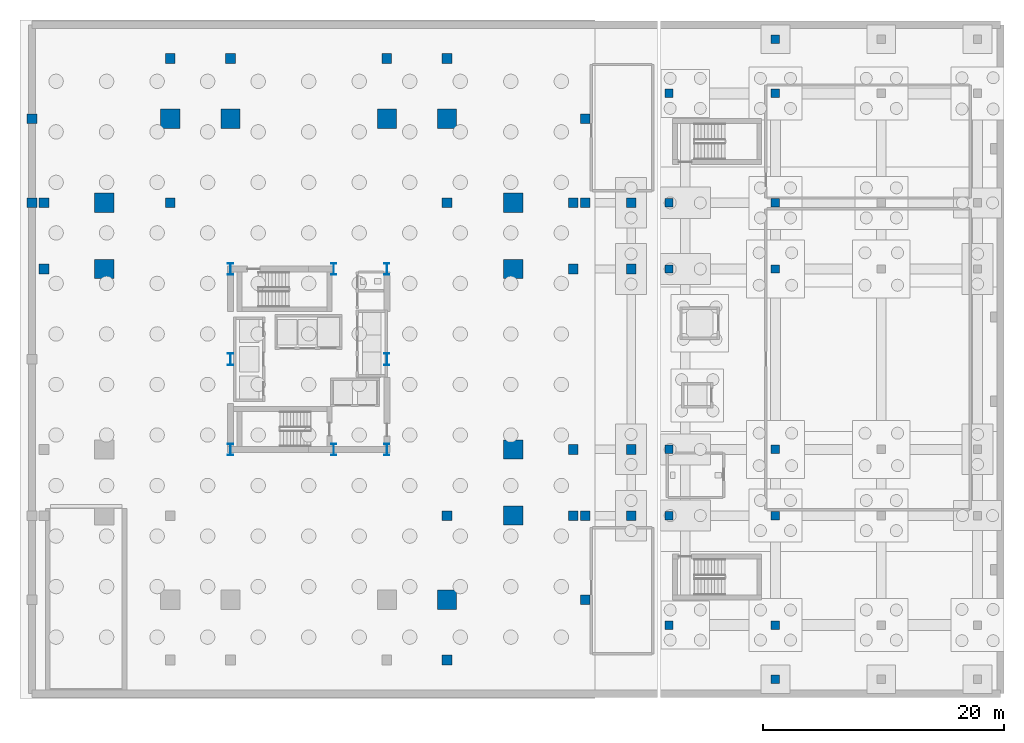
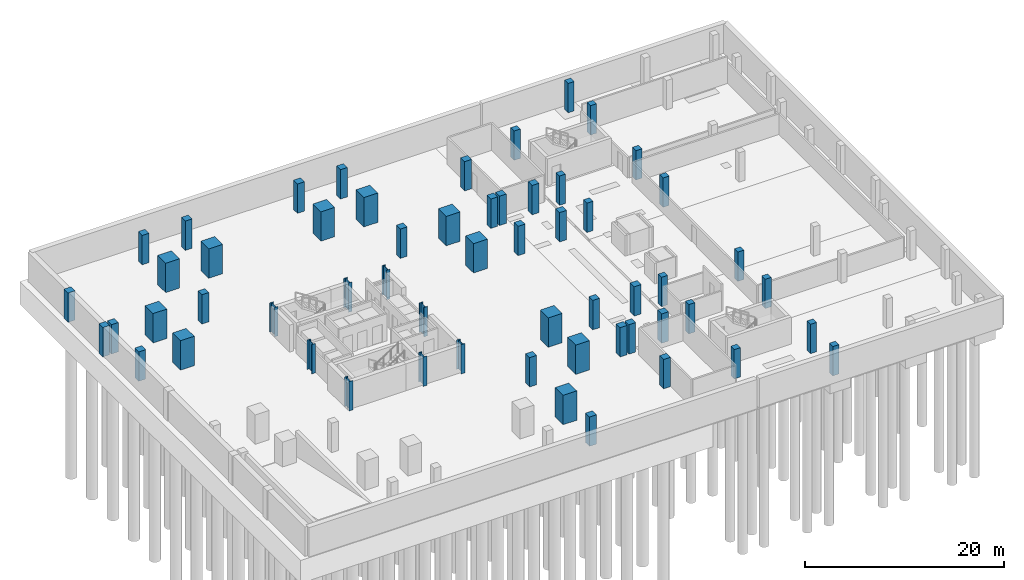
# One storey, part 3 of 13: 57 columns.
"""IFC4 building model written with IfcOpenShell, lengths in metres."""

from ifc_helpers import new_model, si_unit, direction, frame, origin, origin_2d, place, context, subcontext, project, spatial, rectangle, i_section, extrude, material, material_profile, profile_set, type_object, element, save


model = new_model("IFC4")

# Units and contexts
model_context = context("Model", 3, precision=1e-05, world=origin(), true_north=direction((0.0, 1.0)))
body_context = subcontext(model_context, "Body", "Model", "MODEL_VIEW")
ifc_project = project(units=[si_unit("LENGTHUNIT", "METRE"), si_unit("AREAUNIT", "SQUARE_METRE"), si_unit("VOLUMEUNIT", "CUBIC_METRE"), si_unit("PLANEANGLEUNIT", "RADIAN"), si_unit("MASSUNIT", "GRAM", prefix="KILO")], contexts=[model_context])

# Site, building, storey
site_placement = place(None, origin())
site = spatial("IfcSite", under=ifc_project, at=site_placement, CompositionType="ELEMENT")
building_placement = place(site_placement, origin())
building = spatial("IfcBuilding", under=site, at=building_placement, Name="Barlavira Tower and Art Museum", CompositionType="ELEMENT")
storey_placement = place(building_placement, frame((0.0, 0.0, -7.199951171875)))
storey = spatial("IfcBuildingStorey", under=building, at=storey_placement, Name="B02", CompositionType="ELEMENT", Elevation=-7.199951171875)

# Columns
ifc_material_1 = material(Name="Steel S355", Category="steel")
ifc_material_profile_1 = material_profile(ifc_material_1, i_section(OverallWidth=0.419921875, OverallDepth=0.9599609375, WebThickness=0.02197265625, FlangeThickness=0.033935546875, at=origin_2d()), Name="W920x387.0")
ifc_profile_set_1 = profile_set([ifc_material_profile_1], Name="Steel S355")
column_type_1 = type_object("IfcColumnType", Name="Core Composite Column W920x387 Steel S355", PredefinedType="COLUMN", material=ifc_profile_set_1)
for number, where, z_axis, x_axis, name in (
    (1, (-6.5, -7.5, 0.0), (0.0, 0.0, 1.0), (1.0, 0.0, 0.0), "B02 Column CC-B02-C1"),
    (2, (2.080078125, -7.5, 0.0), (0.0, 0.0, 1.0), (1.0, 0.0, 0.0), "B02 Column CC-B02-C2"),
    (3, (6.5, -7.5, 0.0), (0.0, 0.0, 1.0), (1.0, 0.0, 0.0), "B02 Column CC-B02-C3"),
    (4, (-6.5, 0.0, 0.0), (0.0, 0.0, 1.0), (1.0, 0.0, 0.0), "B02 Column CC-B02-C4"),
    (5, (6.5, 0.0, 0.0), (0.0, 0.0, 1.0), (1.0, 0.0, 0.0), "B02 Column CC-B02-C5"),
    (6, (-6.5, 7.5, 0.0), (0.0, 0.0, 1.0), (1.0, 0.0, 0.0), "B02 Column CC-B02-C6"),
    (7, (2.080078125, 7.5, 0.0), (0.0, 0.0, 1.0), (1.0, 0.0, 0.0), "B02 Column CC-B02-C7"),
    (8, (6.5, 7.5, 0.0), (0.0, 0.0, 1.0), (1.0, 0.0, 0.0), "B02 Column CC-B02-C8"),
):
    element("IfcColumn", number, at=place(storey_placement, frame(where, z_axis=z_axis, x_axis=x_axis)), inside=storey, type_object=column_type_1, Name=name, PredefinedType="COLUMN", context=body_context, shape_type="SweptSolid", body=[
        extrude(i_section(OverallWidth=0.419921875, OverallDepth=0.9599609375, WebThickness=0.02197265625, FlangeThickness=0.033935546875, at=origin_2d()), origin(), (0.0, 0.0, 1.0), 3.599853515625),
    ])
ifc_material_2 = material(Name="Concrete C50", Category="concrete")
ifc_material_profile_2 = material_profile(ifc_material_2, rectangle(XDim=0.699951171875, YDim=0.699951171875, at=origin_2d()), Name="RC-COL 700x700")
ifc_profile_set_2 = profile_set([ifc_material_profile_2], Name="Concrete C50")
column_type_2 = type_object("IfcColumnType", Name="Museum Frame Column 700x700 Concrete C50", PredefinedType="COLUMN", material=ifc_profile_set_2)
for number, where, z_axis, x_axis, name in (
    (9, (38.800048828125, -26.60009765625, 0.0), (0.0, 0.0, 1.0), (1.0, 0.0, 0.0), "B02 Pergola Column 1"),
    (10, (38.800048828125, 26.60009765625, 0.0), (0.0, 0.0, 1.0), (1.0, 0.0, 0.0), "B02 Pergola Column 4"),
    (11, (29.949951171875, -22.10009765625, 0.0), (0.0, 0.0, 1.0), (1.0, 0.0, 0.0), "B02 Museum Column 1-1"),
    (12, (29.949951171875, -13.0, 0.0), (0.0, 0.0, 1.0), (1.0, 0.0, 0.0), "B02 Museum Column 1-2"),
    (13, (29.949951171875, -7.5, 0.0), (0.0, 0.0, 1.0), (1.0, 0.0, 0.0), "B02 Museum Column 1-3"),
    (14, (29.949951171875, 7.5, 0.0), (0.0, 0.0, 1.0), (1.0, 0.0, 0.0), "B02 Museum Column 1-4"),
    (15, (29.949951171875, 13.0, 0.0), (0.0, 0.0, 1.0), (1.0, 0.0, 0.0), "B02 Museum Column 1-5"),
    (16, (29.949951171875, 22.10009765625, 0.0), (0.0, 0.0, 1.0), (1.0, 0.0, 0.0), "B02 Museum Column 1-6"),
    (17, (38.800048828125, -22.10009765625, 0.0), (0.0, 0.0, 1.0), (1.0, 0.0, 0.0), "B02 Museum Column 2-1"),
    (18, (38.800048828125, -13.0, 0.0), (0.0, 0.0, 1.0), (1.0, 0.0, 0.0), "B02 Museum Column 2-2"),
    (19, (38.800048828125, -7.5, 0.0), (0.0, 0.0, 1.0), (1.0, 0.0, 0.0), "B02 Museum Column 2-3"),
    (20, (38.800048828125, 7.5, 0.0), (0.0, 0.0, 1.0), (1.0, 0.0, 0.0), "B02 Museum Column 2-4"),
    (21, (38.800048828125, 13.0, 0.0), (0.0, 0.0, 1.0), (1.0, 0.0, 0.0), "B02 Museum Column 2-5"),
    (22, (38.800048828125, 22.10009765625, 0.0), (0.0, 0.0, 1.0), (1.0, 0.0, 0.0), "B02 Museum Column 2-6"),
):
    element("IfcColumn", number, at=place(storey_placement, frame(where, z_axis=z_axis, x_axis=x_axis)), inside=storey, type_object=column_type_2, Name=name, PredefinedType="COLUMN", context=body_context, shape_type="SweptSolid", body=[
        extrude(rectangle(XDim=0.699951171875, YDim=0.699951171875, at=origin_2d()), origin(), (0.0, 0.0, 1.0), 3.599853515625),
    ])
ifc_material_3 = material(Name="Concrete C60", Category="concrete")
ifc_material_profile_3 = material_profile(ifc_material_3, rectangle(XDim=1.60009765625, YDim=1.60009765625, at=origin_2d()), Name="RC-MCOL 1600x1600")
ifc_profile_set_3 = profile_set([ifc_material_profile_3], Name="Concrete C60")
column_type_3 = type_object("IfcColumnType", Name="Perimeter Mega Column 1600x1600 Concrete C60", PredefinedType="USERDEFINED", material=ifc_profile_set_3)
for number, where, z_axis, x_axis, name in (
    (23, (11.5, -20.0, 0.0), (0.0, 0.0, 1.0), (1.0, 0.0, 0.0), "B02 Column MC-B02-M04"),
    (24, (17.0, -13.0, 0.0), (0.0, 0.0, 1.0), (1.0, 0.0, 0.0), "B02 Column MC-B02-M05"),
    (25, (17.0, -7.5, 0.0), (0.0, 0.0, 1.0), (1.0, 0.0, 0.0), "B02 Column MC-B02-M06"),
    (26, (17.0, 7.5, 0.0), (0.0, 0.0, 1.0), (1.0, 0.0, 0.0), "B02 Column MC-B02-M07"),
    (27, (17.0, 13.0, 0.0), (0.0, 0.0, 1.0), (1.0, 0.0, 0.0), "B02 Column MC-B02-M08"),
    (28, (11.5, 20.0, 0.0), (0.0, 0.0, 1.0), (1.0, 0.0, 0.0), "B02 Column MC-B02-M09"),
    (29, (6.5, 20.0, 0.0), (0.0, 0.0, 1.0), (1.0, 0.0, 0.0), "B02 Column MC-B02-M10"),
    (30, (-6.5, 20.0, 0.0), (0.0, 0.0, 1.0), (1.0, 0.0, 0.0), "B02 Column MC-B02-M11"),
    (31, (-11.5, 20.0, 0.0), (0.0, 0.0, 1.0), (1.0, 0.0, 0.0), "B02 Column MC-B02-M12"),
    (32, (-17.0, 13.0, 0.0), (0.0, 0.0, 1.0), (1.0, 0.0, 0.0), "B02 Column MC-B02-M13"),
    (33, (-17.0, 7.5, 0.0), (0.0, 0.0, 1.0), (1.0, 0.0, 0.0), "B02 Column MC-B02-M14"),
):
    element("IfcColumn", number, at=place(storey_placement, frame(where, z_axis=z_axis, x_axis=x_axis)), inside=storey, type_object=column_type_3, Name=name, ObjectType="MEGA COLUMN", PredefinedType="USERDEFINED", context=body_context, shape_type="SweptSolid", body=[
        extrude(rectangle(XDim=1.60009765625, YDim=1.60009765625, at=origin_2d()), origin(), (0.0, 0.0, 1.0), 3.599853515625),
    ])
ifc_material_profile_4 = material_profile(ifc_material_2, rectangle(XDim=0.800048828125, YDim=0.800048828125, at=origin_2d()), Name="RC-COL 800x800")
ifc_profile_set_4 = profile_set([ifc_material_profile_4], Name="Concrete C50")
column_type_4 = type_object("IfcColumnType", Name="Podium Frame Column 800x800 Concrete C50", PredefinedType="COLUMN", material=ifc_profile_set_4)
for number, where, z_axis, x_axis, name in (
    (34, (-23.0, 13.0, 0.0), (0.0, 0.0, 1.0), (1.0, 0.0, 0.0), "B02 Column CP-B02-P4"),
    (35, (-23.0, 20.0, 0.0), (0.0, 0.0, 1.0), (1.0, 0.0, 0.0), "B02 Column CP-B02-P5"),
    (36, (23.0, -20.0, 0.0), (0.0, 0.0, 1.0), (1.0, 0.0, 0.0), "B02 Column CP-B02-P6"),
    (37, (23.0, -13.0, 0.0), (0.0, 0.0, 1.0), (1.0, 0.0, 0.0), "B02 Column CP-B02-P7"),
    (38, (23.0, 13.0, 0.0), (0.0, 0.0, 1.0), (1.0, 0.0, 0.0), "B02 Column CP-B02-P8"),
    (39, (23.0, 20.0, 0.0), (0.0, 0.0, 1.0), (1.0, 0.0, 0.0), "B02 Column CP-B02-P9"),
    (40, (11.5, -13.0, 0.0), (0.0, 0.0, 1.0), (1.0, 0.0, 0.0), "B02 Column CI-B02-I2"),
    (41, (-11.5, 13.0, 0.0), (0.0, 0.0, 1.0), (1.0, 0.0, 0.0), "B02 Column CI-B02-I3"),
    (42, (11.5, 13.0, 0.0), (0.0, 0.0, 1.0), (1.0, 0.0, 0.0), "B02 Column CI-B02-I4"),
    (43, (11.5, -25.0, 0.0), (0.0, 0.0, 1.0), (1.0, 0.0, 0.0), "B02 Column CZ1-B02-N03"),
    (44, (-22.0, 7.5, 0.0), (0.0, 0.0, 1.0), (1.0, 0.0, 0.0), "B02 Column CZ1-B02-N05B"),
    (45, (-22.0, 13.0, 0.0), (0.0, 0.0, 1.0), (1.0, 0.0, 0.0), "B02 Column CZ1-B02-N06"),
    (46, (-11.5, 25.0, 0.0), (0.0, 0.0, 1.0), (1.0, 0.0, 0.0), "B02 Column CZ1-B02-N07"),
    (47, (-6.5, 25.0, 0.0), (0.0, 0.0, 1.0), (1.0, 0.0, 0.0), "B02 Column CZ1-B02-N08"),
    (48, (6.5, 25.0, 0.0), (0.0, 0.0, 1.0), (1.0, 0.0, 0.0), "B02 Column CZ1-B02-N08B"),
    (49, (11.5, 25.0, 0.0), (0.0, 0.0, 1.0), (1.0, 0.0, 0.0), "B02 Column CZ1-B02-N09"),
    (50, (22.0, -13.0, 0.0), (0.0, 0.0, 1.0), (1.0, 0.0, 0.0), "B02 Column CZ1-B02-N10"),
    (51, (22.0, -7.5, 0.0), (0.0, 0.0, 1.0), (1.0, 0.0, 0.0), "B02 Column CZ1-B02-N11"),
    (52, (22.0, 7.5, 0.0), (0.0, 0.0, 1.0), (1.0, 0.0, 0.0), "B02 Column CZ1-B02-N11B"),
    (53, (22.0, 13.0, 0.0), (0.0, 0.0, 1.0), (1.0, 0.0, 0.0), "B02 Column CZ1-B02-N12"),
    (54, (26.800048828125, -13.0, 0.0), (0.0, 0.0, 1.0), (1.0, 0.0, 0.0), "B02 Arcade Column 1"),
    (55, (26.800048828125, -7.5, 0.0), (0.0, 0.0, 1.0), (1.0, 0.0, 0.0), "B02 Arcade Column 2"),
    (56, (26.800048828125, 7.5, 0.0), (0.0, 0.0, 1.0), (1.0, 0.0, 0.0), "B02 Arcade Column 3"),
    (57, (26.800048828125, 13.0, 0.0), (0.0, 0.0, 1.0), (1.0, 0.0, 0.0), "B02 Arcade Column 4"),
):
    element("IfcColumn", number, at=place(storey_placement, frame(where, z_axis=z_axis, x_axis=x_axis)), inside=storey, type_object=column_type_4, Name=name, PredefinedType="COLUMN", context=body_context, shape_type="SweptSolid", body=[
        extrude(rectangle(XDim=0.800048828125, YDim=0.800048828125, at=origin_2d()), origin(), (0.0, 0.0, 1.0), 3.599853515625),
    ])

save(model, "model.ifc")
